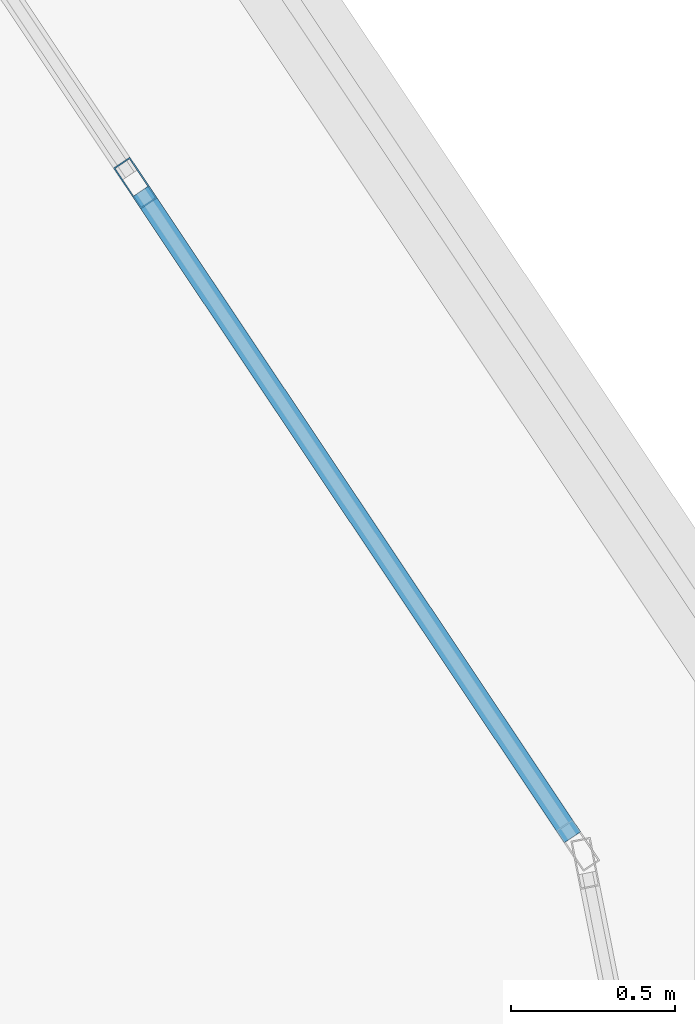
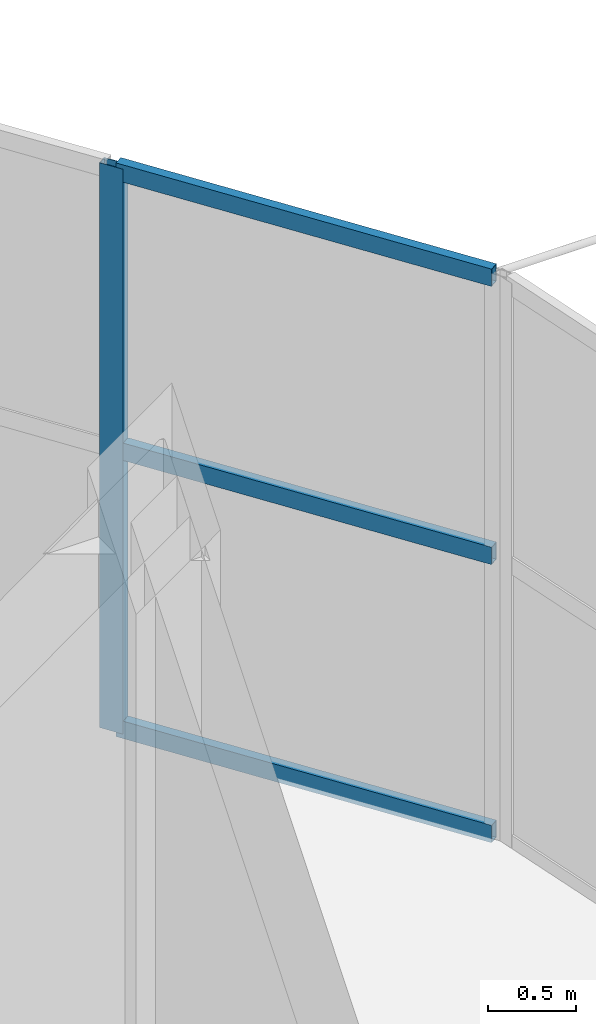
# One storey, part 21 of 33: 4 members, 1 element without a shape of its own.
"""IFC4 building model written with IfcOpenShell, lengths in metres."""

from ifc_helpers import new_model, si_unit, direction, frame, origin, origin_2d, place, context, subcontext, project, spatial, hollow_rectangle, extrude, material, layer, layer_set, material_profile, profile_set, type_object, element, aggregate, save


model = new_model("IFC4")

# Units and contexts
model_context = context("Model", 3, precision=1e-05, world=origin(), true_north=direction((0.0, 1.0)))
body_context = subcontext(model_context, "Body", "Model", "MODEL_VIEW")
ifc_project = project(units=[si_unit("LENGTHUNIT", "METRE"), si_unit("AREAUNIT", "SQUARE_METRE"), si_unit("VOLUMEUNIT", "CUBIC_METRE"), si_unit("PLANEANGLEUNIT", "RADIAN"), si_unit("MASSUNIT", "GRAM", prefix="KILO")], contexts=[model_context])

# Site, building, storey
site_placement = place(None, origin())
site = spatial("IfcSite", under=ifc_project, at=site_placement, CompositionType="ELEMENT")
building_placement = place(site_placement, origin())
building = spatial("IfcBuilding", under=site, at=building_placement, Name="Zizhar Promenade General Hospital", CompositionType="ELEMENT")
storey_placement = place(building_placement, frame((0.0, 0.0, 39.0)))
storey = spatial("IfcBuildingStorey", under=building, at=storey_placement, Name="L09", CompositionType="ELEMENT", Elevation=39.0)

# Curtain wall, members
ifc_material_1 = material(Name="Anodised aluminium 6063-T6 and low-E glass", Category="aluminium")
ifc_layer = layer(ifc_material_1, 0.159912109375)
ifc_layer_set = layer_set([ifc_layer], Name="Anodised aluminium 6063-T6 and low-E glass")
curtain_wall_type = type_object("IfcCurtainWallType", Name="CW-WARD-ARC", PredefinedType="NOTDEFINED", material=ifc_layer_set)
curtain_wall_placement = place(storey_placement, origin())
curtain_wall = element("IfcCurtainWall", 1, at=curtain_wall_placement, inside=storey, type_object=curtain_wall_type, Name="Ward Semicircular End Glazing L09-06", PredefinedType="NOTDEFINED")
ifc_material_2 = material(Name="Anodised aluminium 6063-T6", Category="aluminium")
ifc_material_profile_1 = material_profile(ifc_material_2, hollow_rectangle(XDim=0.06005859375, YDim=0.14990234375, WallThickness=0.00390625, at=origin_2d()))
ifc_profile_set_1 = profile_set([ifc_material_profile_1], Name="Anodised aluminium 6063-T6")
member_type_1 = type_object("IfcMemberType", Name="CWM-ALU-150x60", PredefinedType="MULLION", material=ifc_profile_set_1)
member_1_placement = place(storey_placement, frame((102.67529296875, 19.465576171875, 0.0), z_axis=(0.0, 0.0, 1.0), x_axis=(0.831461514468, 0.555582352095, 0.0)))
member_1 = element("IfcMember", 2, at=member_1_placement, type_object=member_type_1, Name="CW-12 mullion 2", PredefinedType="MULLION", context=body_context, shape_type="SweptSolid", body=[
    extrude(hollow_rectangle(XDim=0.06005859375, YDim=0.14990234375, WallThickness=0.00390625, at=origin_2d()), origin(), (0.0, 0.0, 1.0), 3.89990234375),
])
ifc_material_3 = material(Name="Anodised aluminium 6063-T6", Category="aluminium")
ifc_material_profile_2 = material_profile(ifc_material_3, hollow_rectangle(XDim=0.06005859375, YDim=0.1201171875, WallThickness=0.00390625, at=origin_2d()))
ifc_profile_set_2 = profile_set([ifc_material_profile_2], Name="Anodised aluminium 6063-T6")
member_type_2 = type_object("IfcMemberType", Name="CWT-ALU-120x60", PredefinedType="USERDEFINED", material=ifc_profile_set_2)
member_2_placement = place(storey_placement, frame((102.69189453125, 19.440673828125, 0.030029296875), z_axis=(0.555580160396, -0.831462978956, 0.0), x_axis=(0.831462978956, 0.555580160396, 0.0)))
member_2 = element("IfcMember", 3, at=member_2_placement, type_object=member_type_2, Name="CW-12 transom 2.1", ObjectType="TRANSOM", PredefinedType="USERDEFINED", context=body_context, shape_type="SweptSolid", body=[
    extrude(hollow_rectangle(XDim=0.06005859375, YDim=0.1201171875, WallThickness=0.00390625, at=origin_2d()), origin(), (0.0, 0.0, 1.0), 2.3681640625),
])
member_3_placement = place(storey_placement, frame((102.69189453125, 19.440673828125, 1.949951171875), z_axis=(0.555580160396, -0.831462978956, 0.0), x_axis=(0.831462978956, 0.555580160396, 0.0)))
member_3 = element("IfcMember", 4, at=member_3_placement, type_object=member_type_2, Name="CW-12 transom 2.2", ObjectType="TRANSOM", PredefinedType="USERDEFINED", context=body_context, shape_type="SweptSolid", body=[
    extrude(hollow_rectangle(XDim=0.06005859375, YDim=0.1201171875, WallThickness=0.00390625, at=origin_2d()), origin(), (0.0, 0.0, 1.0), 2.3681640625),
])
member_4_placement = place(storey_placement, frame((102.69189453125, 19.440673828125, 3.8701171875), z_axis=(0.555580160396, -0.831462978956, 0.0), x_axis=(0.831462978956, 0.555580160396, 0.0)))
member_4 = element("IfcMember", 5, at=member_4_placement, type_object=member_type_2, Name="CW-12 transom 2.3", ObjectType="TRANSOM", PredefinedType="USERDEFINED", context=body_context, shape_type="SweptSolid", body=[
    extrude(hollow_rectangle(XDim=0.06005859375, YDim=0.1201171875, WallThickness=0.00390625, at=origin_2d()), origin(), (0.0, 0.0, 1.0), 2.3681640625),
])
aggregate(curtain_wall, [member_1, member_2, member_3, member_4])

save(model, "model.ifc")
